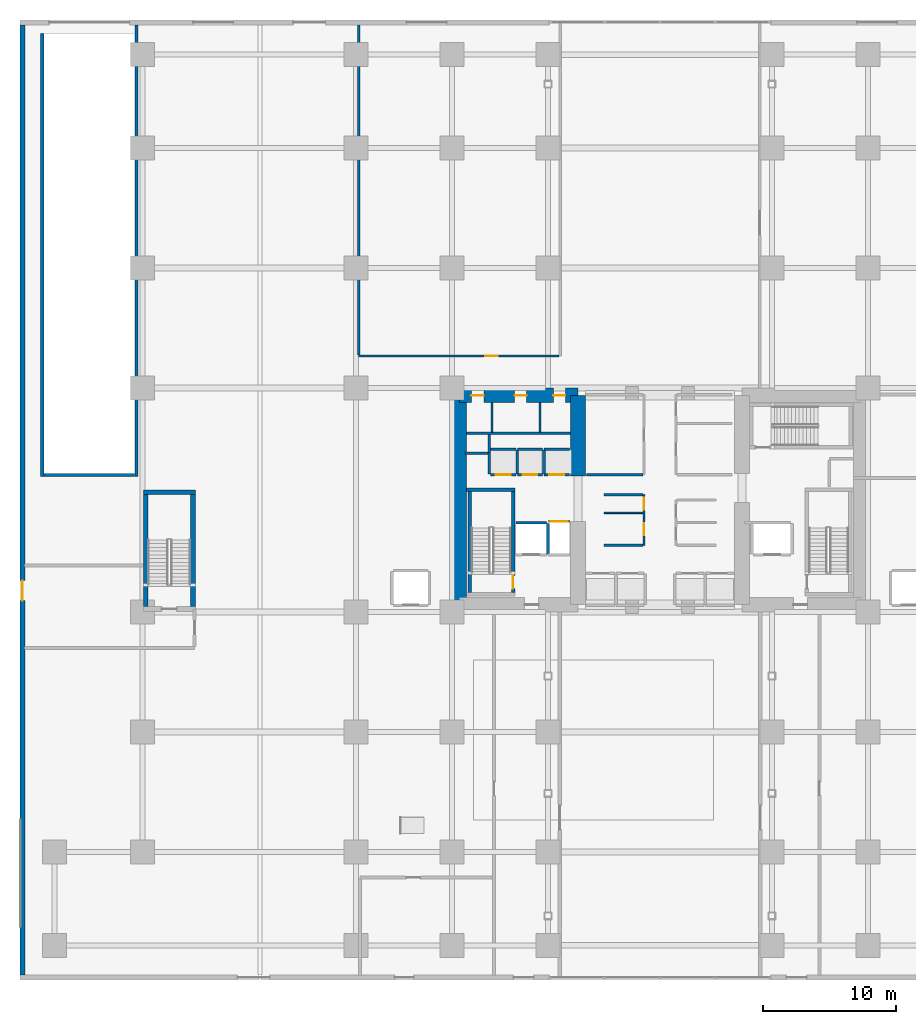
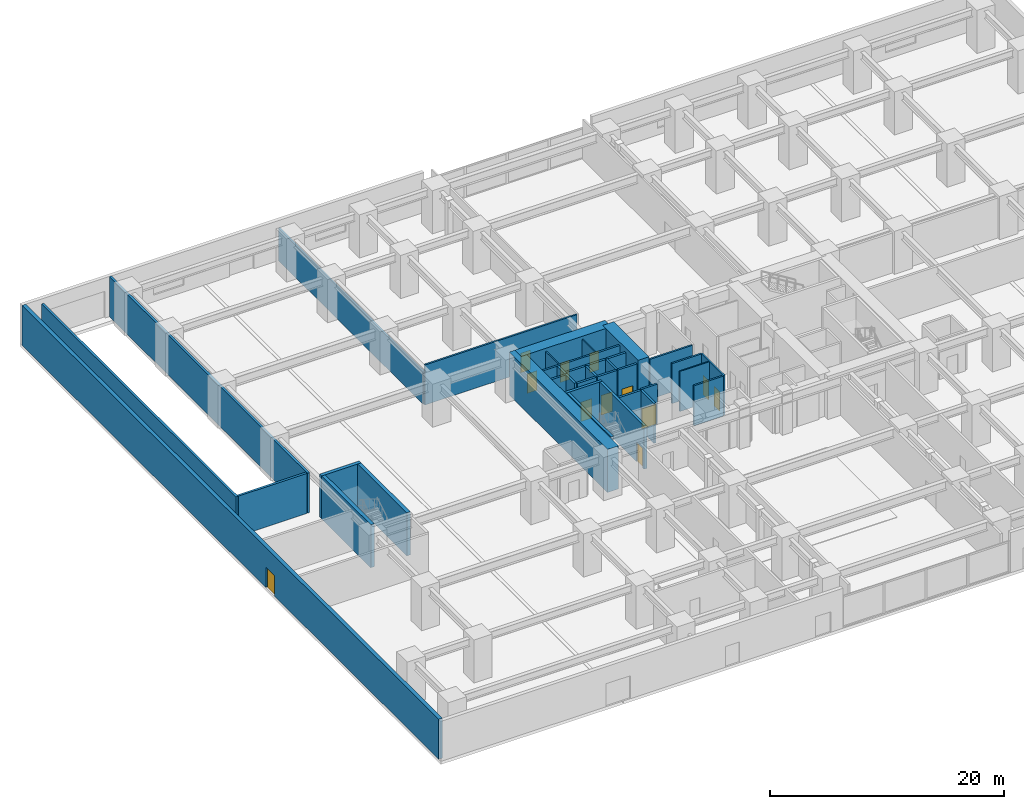
# One storey, part 14 of 26: 37 walls, 12 doors, 12 openings.
"""IFC4 building model written with IfcOpenShell, lengths in metres."""

from ifc_helpers import new_model, si_unit, direction, frame, frame_2d, origin, place, context, subcontext, project, spatial, rectangle, extrude, material, layer, layer_set, type_object, element, fill, save


model = new_model("IFC4")

# Units and contexts
model_context = context("Model", 3, precision=1e-05, world=origin(), true_north=direction((0.0, 1.0)))
body_context = subcontext(model_context, "Body", "Model", "MODEL_VIEW")
ifc_project = project(units=[si_unit("LENGTHUNIT", "METRE"), si_unit("AREAUNIT", "SQUARE_METRE"), si_unit("VOLUMEUNIT", "CUBIC_METRE"), si_unit("PLANEANGLEUNIT", "RADIAN"), si_unit("MASSUNIT", "GRAM", prefix="KILO")], contexts=[model_context])

# Site, building, storey
site_placement = place(None, origin())
site = spatial("IfcSite", under=ifc_project, at=site_placement, CompositionType="ELEMENT")
building_placement = place(site_placement, origin())
building = spatial("IfcBuilding", under=site, at=building_placement, Name="Kiyonajd Concourse Tower", CompositionType="ELEMENT")
storey_placement = place(building_placement, origin())
storey = spatial("IfcBuildingStorey", under=building, at=storey_placement, Name="L01", CompositionType="ELEMENT", Elevation=0.0)

# Walls
ifc_material_1 = material(Name="Concrete C80/95", Category="concrete")
ifc_layer_1 = layer(ifc_material_1, 1.10009765625)
ifc_layer_set_1 = layer_set([ifc_layer_1], Name="Concrete C80/95")
wall_type_1 = type_object("IfcWallType", Name="WL-CORE-1100", PredefinedType="SHEAR", material=ifc_layer_set_1)
wall_1_placement = place(storey_placement, frame((32.949951171875, 27.60009765625, 0.0), z_axis=(0.0, 0.0, 1.0), x_axis=(0.0, 1.0, 0.0)))
element("IfcWall", 1, at=wall_1_placement, inside=storey, type_object=wall_type_1, Name="L01 West Core Outer Shear Wall", PredefinedType="SHEAR", context=body_context, shape_type="SweptSolid", body=[
    extrude(rectangle(XDim=16.7998046875, YDim=1.10009765625, at=frame_2d((8.39990234375, 0.0))), origin(), (0.0, 0.0, 1.0), 4.5),
])
wall_2_placement = place(storey_placement, frame((41.85009765625, 37.800048828125, 0.0), z_axis=(0.0, 0.0, 1.0), x_axis=(0.0, 1.0, 0.0)))
element("IfcWall", 2, at=wall_2_placement, inside=storey, type_object=wall_type_1, Name="L01 West Core Inner North Shear Wall", PredefinedType="SHEAR", context=body_context, shape_type="SweptSolid", body=[
    extrude(rectangle(XDim=6.050048828125, YDim=1.10009765625, at=frame_2d((3.02490234375, 0.0))), origin(), (0.0, 0.0, 1.0), 4.5),
])

# Wall, openings, doors
wall_3_placement = place(storey_placement, frame((32.949951171875, 43.85009765625, 0.0), z_axis=(0.0, 0.0, 1.0), x_axis=(1.0, 0.0, 0.0)))
wall_3 = element("IfcWall", 3, at=wall_3_placement, inside=storey, type_object=wall_type_1, Name="L01 West Core North Shear Wall", PredefinedType="SHEAR", context=body_context, shape_type="SweptSolid", body=[
    extrude(rectangle(XDim=8.900146484375, YDim=1.10009765625, at=frame_2d((4.4501953125, 0.0))), origin(), (0.0, 0.0, 1.0), 4.5),
])
opening_1_placement = place(wall_3_placement, frame((0.89990234375, 0.0, 0.0)))
opening_1 = element("IfcOpeningElement", 4, at=opening_1_placement, cuts=wall_3, Name="Opening DI1", PredefinedType="OPENING", context=body_context, shape_type="SweptSolid", body=[
    extrude(rectangle(XDim=0.949951171875, YDim=2.0400390625, at=frame_2d((0.47509765625, 1.02001953125))), frame((0.0, 0.56005859375, 0.0), z_axis=(0.0, -1.0, 0.0), x_axis=(1.0, 0.0, 0.0)), (0.0, 0.0, 1.0), 1.1201171875),
])
opening_2_placement = place(wall_3_placement, frame((4.14990234375, 0.0, 0.0)))
opening_2 = element("IfcOpeningElement", 5, at=opening_2_placement, cuts=wall_3, Name="Opening DI2", PredefinedType="OPENING", context=body_context, shape_type="SweptSolid", body=[
    extrude(rectangle(XDim=0.89990234375, YDim=2.02001953125, at=frame_2d((0.449951171875, 1.010009765625))), frame((0.0, 0.56005859375, 0.0), z_axis=(0.0, -1.0, 0.0), x_axis=(1.0, 0.0, 0.0)), (0.0, 0.0, 1.0), 1.1201171875),
])
opening_3_placement = place(wall_3_placement, frame((7.050048828125, 0.0, 0.0)))
opening_3 = element("IfcOpeningElement", 6, at=opening_3_placement, cuts=wall_3, Name="Opening DI2", PredefinedType="OPENING", context=body_context, shape_type="SweptSolid", body=[
    extrude(rectangle(XDim=0.89990234375, YDim=2.02001953125, at=frame_2d((0.449951171875, 1.010009765625))), frame((0.0, 0.56005859375, 0.0), z_axis=(0.0, -1.0, 0.0), x_axis=(1.0, 0.0, 0.0)), (0.0, 0.0, 1.0), 1.1201171875),
])
ifc_material_2 = material(Name="Natural Oak Acoustic Timber Veneer", Category="wood")
door_type_1 = type_object("IfcDoorType", Name="DR-INT-900", OperationType="NOTDEFINED", PredefinedType="DOOR", material=ifc_material_2)
door_1_placement = place(opening_2_placement, origin())
door_1 = element("IfcDoor", 7, at=door_1_placement, inside=storey, type_object=door_type_1, Name="L01 Male Restroom Door", OperationType="SINGLE_SWING_RIGHT", OverallHeight=2.02001953125, OverallWidth=0.89990234375, PredefinedType="DOOR", context=body_context, shape_type="SweptSolid", body=[
    extrude(rectangle(XDim=0.89990234375, YDim=2.02001953125, at=frame_2d((0.449951171875, 1.010009765625))), frame((0.0, 0.02490234375, 0.0), z_axis=(0.0, -1.0, 0.0), x_axis=(1.0, 0.0, 0.0)), (0.0, 0.0, 1.0), 0.050048828125),
])
fill(opening_2, door_1)
door_2_placement = place(opening_3_placement, origin())
door_2 = element("IfcDoor", 8, at=door_2_placement, inside=storey, type_object=door_type_1, Name="L01 Female Restroom Door", OperationType="SINGLE_SWING_LEFT", OverallHeight=2.02001953125, OverallWidth=0.89990234375, PredefinedType="DOOR", context=body_context, shape_type="SweptSolid", body=[
    extrude(rectangle(XDim=0.89990234375, YDim=2.02001953125, at=frame_2d((0.449951171875, 1.010009765625))), frame((0.0, 0.02490234375, 0.0), z_axis=(0.0, -1.0, 0.0), x_axis=(1.0, 0.0, 0.0)), (0.0, 0.0, 1.0), 0.050048828125),
])
fill(opening_3, door_2)
door_type_2 = type_object("IfcDoorType", Name="DR-INT-950", OperationType="NOTDEFINED", PredefinedType="DOOR", material=ifc_material_2)
door_3_placement = place(opening_1_placement, origin())
door_3 = element("IfcDoor", 9, at=door_3_placement, inside=storey, type_object=door_type_2, Name="L01 Single User Accessible WC Door", OperationType="SINGLE_SWING_LEFT", OverallHeight=2.0400390625, OverallWidth=0.949951171875, PredefinedType="DOOR", context=body_context, shape_type="SweptSolid", body=[
    extrude(rectangle(XDim=0.949951171875, YDim=2.0400390625, at=frame_2d((0.47509765625, 1.02001953125))), frame((0.0, 0.02490234375, 0.0), z_axis=(0.0, -1.0, 0.0), x_axis=(1.0, 0.0, 0.0)), (0.0, 0.0, 1.0), 0.050048828125),
])
fill(opening_1, door_3)

# Wall, opening, door
ifc_material_3 = material(Name="Precast concrete C50/60", Category="concrete")
ifc_layer_2 = layer(ifc_material_3, 0.360107421875)
ifc_layer_set_2 = layer_set([ifc_layer_2], Name="Precast concrete C50/60")
wall_type_2 = type_object("IfcWallType", Name="WL-EXT-360", PredefinedType="SOLIDWALL", material=ifc_layer_set_2)
wall_4_placement = place(storey_placement, frame((0.179931640625, 0.360107421875, 0.0), z_axis=(0.0, 0.0, 1.0), x_axis=(0.0, 1.0, 0.0)))
wall_4 = element("IfcWall", 10, at=wall_4_placement, inside=storey, type_object=wall_type_2, Name="L01 West Podium Limestone Facade Wall", PredefinedType="SOLIDWALL", context=body_context, shape_type="SweptSolid", body=[
    extrude(rectangle(XDim=71.27978515625, YDim=0.360107421875, at=frame_2d((35.639892578125, 0.0))), origin(), (0.0, 0.0, 1.0), 4.179931640625),
])
opening_4_placement = place(wall_4_placement, frame((28.090087890625, 0.0, 0.0)))
opening_4 = element("IfcOpeningElement", 11, at=opening_4_placement, cuts=wall_4, Name="Opening DEX1", PredefinedType="OPENING", context=body_context, shape_type="SweptSolid", body=[
    extrude(rectangle(XDim=1.5, YDim=2.14990234375, at=frame_2d((0.75, 1.074951171875))), frame((0.0, 0.18994140625, 0.0), z_axis=(0.0, -1.0, 0.0), x_axis=(1.0, 0.0, 0.0)), (0.0, 0.0, 1.0), 0.380126953125),
])
ifc_material_4 = material(Name="Thermally Broken Anodised Aluminium", Category="aluminium")
door_type_3 = type_object("IfcDoorType", Name="DR-EXIT-1500", OperationType="DOUBLE_DOOR_SINGLE_SWING", PredefinedType="DOOR", material=ifc_material_4)
door_4_placement = place(opening_4_placement, origin())
door_4 = element("IfcDoor", 12, at=door_4_placement, inside=storey, type_object=door_type_3, Name="L01 Protected Exit Passage ST4 Discharge Door", OperationType="DOUBLE_DOOR_SINGLE_SWING", OverallHeight=2.14990234375, OverallWidth=1.5, PredefinedType="DOOR", context=body_context, shape_type="SweptSolid", body=[
    extrude(rectangle(XDim=1.5, YDim=2.14990234375, at=frame_2d((0.75, 1.074951171875))), frame((0.0, 0.02490234375, 0.0), z_axis=(0.0, -1.0, 0.0), x_axis=(1.0, 0.0, 0.0)), (0.0, 0.0, 1.0), 0.050048828125),
])
fill(opening_4, door_4)

# Walls
ifc_material_5 = material(Name="Gypsum Board on Cold-Formed Steel Stud", Category="steel")
ifc_layer_3 = layer(ifc_material_5, 0.22998046875)
ifc_layer_set_3 = layer_set([ifc_layer_3], Name="Gypsum Board on Cold-Formed Steel Stud")
wall_type_3 = type_object("IfcWallType", Name="WL-FIRE-230", PredefinedType="PARTITIONING", material=ifc_layer_set_3)
wall_5_placement = place(storey_placement, frame((8.72998046875, 37.760009765625, 0.0), z_axis=(0.0, 0.0, 1.0), x_axis=(0.0, 1.0, 0.0)))
element("IfcWall", 13, at=wall_5_placement, inside=storey, type_object=wall_type_3, Name="L01 Vehicle Ramp Fire Enclosure Wall", PredefinedType="PARTITIONING", context=body_context, shape_type="SweptSolid", body=[
    extrude(rectangle(XDim=33.8798828125, YDim=0.22998046875, at=frame_2d((16.93994140625, 0.0))), origin(), (0.0, 0.0, 1.0), 4.179931640625),
])
wall_6_placement = place(storey_placement, frame((1.800048828125, 37.8701171875, 0.0), z_axis=(0.0, 0.0, 1.0), x_axis=(1.0, 0.0, 0.0)))
element("IfcWall", 14, at=wall_6_placement, inside=storey, type_object=wall_type_3, Name="L01 Vehicle Ramp Fire Enclosure Wall", PredefinedType="PARTITIONING", context=body_context, shape_type="SweptSolid", body=[
    extrude(rectangle(XDim=6.800048828125, YDim=0.22998046875, at=frame_2d((3.39990234375, 0.0))), origin(), (0.0, 0.0, 1.0), 4.179931640625),
])
wall_7_placement = place(storey_placement, frame((1.669921875, 37.760009765625, 0.0), z_axis=(0.0, 0.0, 1.0), x_axis=(0.0, 1.0, 0.0)))
element("IfcWall", 15, at=wall_7_placement, inside=storey, type_object=wall_type_3, Name="L01 Vehicle Ramp Fire Enclosure Wall", PredefinedType="PARTITIONING", context=body_context, shape_type="SweptSolid", body=[
    extrude(rectangle(XDim=33.239990234375, YDim=0.22998046875, at=frame_2d((16.6201171875, 0.0))), origin(), (0.0, 0.0, 1.0), 4.179931640625),
])
ifc_layer_4 = layer(ifc_material_5, 0.125)
ifc_layer_set_4 = layer_set([ifc_layer_4], Name="Gypsum Board on Cold-Formed Steel Stud")
wall_type_4 = type_object("IfcWallType", Name="WL-PART-125", PredefinedType="PARTITIONING", material=ifc_layer_set_4)
for number, where, z_axis, x_axis, name in (
    (16, (35.39990234375, 41.094970703125, 0.0), (0.0, 0.0, 1.0), (0.0, 1.0, 0.0), "L01 Interior Partition Wall"),
    (17, (39.0, 41.094970703125, 0.0), (0.0, 0.0, 1.0), (0.0, 1.0, 0.0), "L01 Interior Partition Wall"),
):
    element("IfcWall", number, at=place(storey_placement, frame(where, z_axis=z_axis, x_axis=x_axis)), inside=storey, type_object=wall_type_4, Name=name, PredefinedType="PARTITIONING", context=body_context, shape_type="SweptSolid", body=[
        extrude(rectangle(XDim=2.205078125, YDim=0.125, at=frame_2d((1.1025390625, 0.0))), origin(), (0.0, 0.0, 1.0), 4.179931640625),
    ])
wall_8_placement = place(storey_placement, frame((43.800048828125, 35.031982421875, 0.0), z_axis=(0.0, 0.0, 1.0), x_axis=(1.0, 0.0, 0.0)))
element("IfcWall", 18, at=wall_8_placement, inside=storey, type_object=wall_type_4, Name="L01 Interior Partition Wall", PredefinedType="PARTITIONING", context=body_context, shape_type="SweptSolid", body=[
    extrude(rectangle(XDim=2.912841796875, YDim=0.125, at=frame_2d((1.45654296875, 0.0))), origin(), (0.0, 0.0, 1.0), 4.179931640625),
])
ifc_layer_5 = layer(ifc_material_5, 0.18994140625)
ifc_layer_set_5 = layer_set([ifc_layer_5], Name="Gypsum Board on Cold-Formed Steel Stud")
wall_type_5 = type_object("IfcWallType", Name="WL-PLMB-190", PredefinedType="PLUMBINGWALL", material=ifc_layer_set_5)
wall_9_placement = place(storey_placement, frame((33.5, 41.0, 0.0), z_axis=(0.0, 0.0, 1.0), x_axis=(1.0, 0.0, 0.0)))
element("IfcWall", 19, at=wall_9_placement, inside=storey, type_object=wall_type_5, Name="L01 Interior Partition Wall", PredefinedType="PLUMBINGWALL", context=body_context, shape_type="SweptSolid", body=[
    extrude(rectangle(XDim=7.800048828125, YDim=0.18994140625, at=frame_2d((3.89990234375, 0.0))), origin(), (0.0, 0.0, 1.0), 4.179931640625),
])
ifc_layer_6 = layer(ifc_material_5, 0.2099609375)
ifc_layer_set_6 = layer_set([ifc_layer_6], Name="Gypsum Board on Cold-Formed Steel Stud")
wall_type_6 = type_object("IfcWallType", Name="WL-SHAFT-210", PredefinedType="PARTITIONING", material=ifc_layer_set_6)
wall_10_placement = place(storey_placement, frame((33.360107421875, 39.5, 0.0), z_axis=(0.0, 0.0, 1.0), x_axis=(1.0, 0.0, 0.0)))
element("IfcWall", 20, at=wall_10_placement, inside=storey, type_object=wall_type_6, Name="L01 Shaft Enclosure Wall", PredefinedType="PARTITIONING", context=body_context, shape_type="SweptSolid", body=[
    extrude(rectangle(XDim=1.85986328125, YDim=0.2099609375, at=frame_2d((0.929931640625, 0.0))), origin(), (0.0, 0.0, 1.0), 4.179931640625),
])
wall_11_placement = place(storey_placement, frame((35.199951171875, 39.580078125, 0.0), z_axis=(0.0, 0.0, 1.0), x_axis=(0.0, 1.0, 0.0)))
element("IfcWall", 21, at=wall_11_placement, inside=storey, type_object=wall_type_6, Name="L01 Shaft Enclosure Wall", PredefinedType="PARTITIONING", context=body_context, shape_type="SweptSolid", body=[
    extrude(rectangle(XDim=1.31982421875, YDim=0.2099609375, at=frame_2d((0.659912109375, 0.0))), origin(), (0.0, 0.0, 1.0), 4.179931640625),
])
wall_12_placement = place(storey_placement, frame((37.199951171875, 34.300048828125, 0.0), z_axis=(0.0, 0.0, 1.0), x_axis=(1.0, 0.0, 0.0)))
element("IfcWall", 22, at=wall_12_placement, inside=storey, type_object=wall_type_6, Name="L01 Shaft Enclosure Wall", PredefinedType="PARTITIONING", context=body_context, shape_type="SweptSolid", body=[
    extrude(rectangle(XDim=2.300048828125, YDim=0.2099609375, at=frame_2d((1.14990234375, 0.0))), origin(), (0.0, 0.0, 1.0), 4.179931640625),
])
wall_13_placement = place(storey_placement, frame((39.60009765625, 31.9599609375, 0.0), z_axis=(0.0, 0.0, 1.0), x_axis=(0.0, 1.0, 0.0)))
element("IfcWall", 23, at=wall_13_placement, inside=storey, type_object=wall_type_6, Name="L01 Shaft Enclosure Wall", PredefinedType="PARTITIONING", context=body_context, shape_type="SweptSolid", body=[
    extrude(rectangle(XDim=2.280029296875, YDim=0.2099609375, at=frame_2d((1.14013671875, 0.0))), origin(), (0.0, 0.0, 1.0), 4.179931640625),
])

# Wall, opening, door
wall_14_placement = place(storey_placement, frame((39.60009765625, 34.39990234375, 0.0), z_axis=(0.0, 0.0, 1.0), x_axis=(1.0, 0.0, 0.0)))
wall_14 = element("IfcWall", 24, at=wall_14_placement, inside=storey, type_object=wall_type_6, Name="L01 Shaft Enclosure Wall", PredefinedType="PARTITIONING", context=body_context, shape_type="SweptSolid", body=[
    extrude(rectangle(XDim=1.599853515625, YDim=0.2099609375, at=frame_2d((0.7998046875, 0.0))), origin(), (0.0, 0.0, 1.0), 4.179931640625),
])
opening_5_placement = place(wall_14_placement, frame((0.10009765625, 0.0, 0.0)))
opening_5 = element("IfcOpeningElement", 25, at=opening_5_placement, cuts=wall_14, Name="Opening LD3", PredefinedType="OPENING", context=body_context, shape_type="SweptSolid", body=[
    extrude(rectangle(XDim=1.39990234375, YDim=2.06005859375, at=frame_2d((0.699951171875, 1.030029296875))), frame((0.0, 0.114990234375, 0.0), z_axis=(0.0, -1.0, 0.0), x_axis=(1.0, 0.0, 0.0)), (0.0, 0.0, 1.0), 0.22998046875),
])
ifc_material_6 = material(Name="Brushed Stainless Steel Cab Assembly", Category="steel")
door_type_4 = type_object("IfcDoorType", Name="DR-LD-1400", OperationType="DOUBLE_DOOR_SLIDING", PredefinedType="DOOR", material=ifc_material_6)
door_5_placement = place(opening_5_placement, origin())
door_5 = element("IfcDoor", 26, at=door_5_placement, inside=storey, type_object=door_type_4, Name="L01 Lift SVL1 Sliding Landing Door", OperationType="DOUBLE_DOOR_SLIDING", OverallHeight=2.06005859375, OverallWidth=1.39990234375, PredefinedType="DOOR", context=body_context, shape_type="SweptSolid", body=[
    extrude(rectangle(XDim=1.39990234375, YDim=2.06005859375, at=frame_2d((0.699951171875, 1.030029296875))), frame((0.0, 0.02490234375, 0.0), z_axis=(0.0, -1.0, 0.0), x_axis=(1.0, 0.0, 0.0)), (0.0, 0.0, 1.0), 0.050048828125),
])
fill(opening_5, door_5)

wall_15_placement = place(storey_placement, frame((35.300048828125, 37.89990234375, 0.0), z_axis=(0.0, 0.0, 1.0), x_axis=(1.0, 0.0, 0.0)))
wall_15 = element("IfcWall", 27, at=wall_15_placement, inside=storey, type_object=wall_type_6, Name="L01 Shaft Enclosure Wall", PredefinedType="PARTITIONING", context=body_context, shape_type="SweptSolid", body=[
    extrude(rectangle(XDim=1.89990234375, YDim=0.2099609375, at=frame_2d((0.949951171875, 0.0))), origin(), (0.0, 0.0, 1.0), 4.179931640625),
])
opening_6_placement = place(wall_15_placement, frame((0.39990234375, 0.0, 0.0)))
opening_6 = element("IfcOpeningElement", 28, at=opening_6_placement, cuts=wall_15, Name="Opening LD1", PredefinedType="OPENING", context=body_context, shape_type="SweptSolid", body=[
    extrude(rectangle(XDim=1.10009765625, YDim=2.0400390625, at=frame_2d((0.550048828125, 1.02001953125))), frame((0.0, 0.114990234375, 0.0), z_axis=(0.0, -1.0, 0.0), x_axis=(1.0, 0.0, 0.0)), (0.0, 0.0, 1.0), 0.22998046875),
])
door_type_5 = type_object("IfcDoorType", Name="DR-LD-1100", OperationType="DOUBLE_DOOR_SLIDING", PredefinedType="DOOR", material=ifc_material_6)
door_6_placement = place(opening_6_placement, origin())
door_6 = element("IfcDoor", 29, at=door_6_placement, inside=storey, type_object=door_type_5, Name="L01 Lift EXL1 Sliding Landing Door", OperationType="DOUBLE_DOOR_SLIDING", OverallHeight=2.0400390625, OverallWidth=1.10009765625, PredefinedType="DOOR", context=body_context, shape_type="SweptSolid", body=[
    extrude(rectangle(XDim=1.10009765625, YDim=2.0400390625, at=frame_2d((0.550048828125, 1.02001953125))), frame((0.0, 0.02490234375, 0.0), z_axis=(0.0, -1.0, 0.0), x_axis=(1.0, 0.0, 0.0)), (0.0, 0.0, 1.0), 0.050048828125),
])
fill(opening_6, door_6)

# Walls
wall_16_placement = place(storey_placement, frame((35.300048828125, 39.800048828125, 0.0), z_axis=(0.0, 0.0, 1.0), x_axis=(1.0, 0.0, 0.0)))
element("IfcWall", 30, at=wall_16_placement, inside=storey, type_object=wall_type_6, Name="L01 Shaft Enclosure Wall", PredefinedType="PARTITIONING", context=body_context, shape_type="SweptSolid", body=[
    extrude(rectangle(XDim=1.89990234375, YDim=0.2099609375, at=frame_2d((0.949951171875, 0.0))), origin(), (0.0, 0.0, 1.0), 4.179931640625),
])
wall_17_placement = place(storey_placement, frame((35.199951171875, 37.9599609375, 0.0), z_axis=(0.0, 0.0, 1.0), x_axis=(0.0, 1.0, 0.0)))
element("IfcWall", 31, at=wall_17_placement, inside=storey, type_object=wall_type_6, Name="L01 Shaft Enclosure Wall", PredefinedType="PARTITIONING", context=body_context, shape_type="SweptSolid", body=[
    extrude(rectangle(XDim=1.6201171875, YDim=0.2099609375, at=frame_2d((0.81005859375, 0.0))), origin(), (0.0, 0.0, 1.0), 4.179931640625),
])
wall_18_placement = place(storey_placement, frame((37.300048828125, 37.9599609375, 0.0), z_axis=(0.0, 0.0, 1.0), x_axis=(0.0, 1.0, 0.0)))
element("IfcWall", 32, at=wall_18_placement, inside=storey, type_object=wall_type_6, Name="L01 Shaft Enclosure Wall", PredefinedType="PARTITIONING", context=body_context, shape_type="SweptSolid", body=[
    extrude(rectangle(XDim=1.780029296875, YDim=0.2099609375, at=frame_2d((0.89013671875, 0.0))), origin(), (0.0, 0.0, 1.0), 4.179931640625),
])

# Wall, opening, door
wall_19_placement = place(storey_placement, frame((37.300048828125, 37.89990234375, 0.0), z_axis=(0.0, 0.0, 1.0), x_axis=(1.0, 0.0, 0.0)))
wall_19 = element("IfcWall", 33, at=wall_19_placement, inside=storey, type_object=wall_type_6, Name="L01 Shaft Enclosure Wall", PredefinedType="PARTITIONING", context=body_context, shape_type="SweptSolid", body=[
    extrude(rectangle(XDim=1.89990234375, YDim=0.2099609375, at=frame_2d((0.949951171875, 0.0))), origin(), (0.0, 0.0, 1.0), 4.179931640625),
])
opening_7_placement = place(wall_19_placement, frame((0.39990234375, 0.0, 0.0)))
opening_7 = element("IfcOpeningElement", 34, at=opening_7_placement, cuts=wall_19, Name="Opening LD1", PredefinedType="OPENING", context=body_context, shape_type="SweptSolid", body=[
    extrude(rectangle(XDim=1.10009765625, YDim=2.0400390625, at=frame_2d((0.550048828125, 1.02001953125))), frame((0.0, 0.114990234375, 0.0), z_axis=(0.0, -1.0, 0.0), x_axis=(1.0, 0.0, 0.0)), (0.0, 0.0, 1.0), 0.22998046875),
])
door_7_placement = place(opening_7_placement, origin())
door_7 = element("IfcDoor", 35, at=door_7_placement, inside=storey, type_object=door_type_5, Name="L01 Lift EXL2 Sliding Landing Door", OperationType="DOUBLE_DOOR_SLIDING", OverallHeight=2.0400390625, OverallWidth=1.10009765625, PredefinedType="DOOR", context=body_context, shape_type="SweptSolid", body=[
    extrude(rectangle(XDim=1.10009765625, YDim=2.0400390625, at=frame_2d((0.550048828125, 1.02001953125))), frame((0.0, 0.02490234375, 0.0), z_axis=(0.0, -1.0, 0.0), x_axis=(1.0, 0.0, 0.0)), (0.0, 0.0, 1.0), 0.050048828125),
])
fill(opening_7, door_7)

# Walls
wall_20_placement = place(storey_placement, frame((37.300048828125, 39.800048828125, 0.0), z_axis=(0.0, 0.0, 1.0), x_axis=(1.0, 0.0, 0.0)))
element("IfcWall", 36, at=wall_20_placement, inside=storey, type_object=wall_type_6, Name="L01 Shaft Enclosure Wall", PredefinedType="PARTITIONING", context=body_context, shape_type="SweptSolid", body=[
    extrude(rectangle(XDim=1.89990234375, YDim=0.2099609375, at=frame_2d((0.949951171875, 0.0))), origin(), (0.0, 0.0, 1.0), 4.179931640625),
])
wall_21_placement = place(storey_placement, frame((39.300048828125, 37.9599609375, 0.0), z_axis=(0.0, 0.0, 1.0), x_axis=(0.0, 1.0, 0.0)))
element("IfcWall", 37, at=wall_21_placement, inside=storey, type_object=wall_type_6, Name="L01 Shaft Enclosure Wall", PredefinedType="PARTITIONING", context=body_context, shape_type="SweptSolid", body=[
    extrude(rectangle(XDim=1.780029296875, YDim=0.2099609375, at=frame_2d((0.89013671875, 0.0))), origin(), (0.0, 0.0, 1.0), 4.179931640625),
])

# Wall, opening, door
wall_22_placement = place(storey_placement, frame((39.300048828125, 37.89990234375, 0.0), z_axis=(0.0, 0.0, 1.0), x_axis=(1.0, 0.0, 0.0)))
wall_22 = element("IfcWall", 38, at=wall_22_placement, inside=storey, type_object=wall_type_6, Name="L01 Shaft Enclosure Wall", PredefinedType="PARTITIONING", context=body_context, shape_type="SweptSolid", body=[
    extrude(rectangle(XDim=1.89990234375, YDim=0.2099609375, at=frame_2d((0.949951171875, 0.0))), origin(), (0.0, 0.0, 1.0), 4.179931640625),
])
opening_8_placement = place(wall_22_placement, frame((0.39990234375, 0.0, 0.0)))
opening_8 = element("IfcOpeningElement", 39, at=opening_8_placement, cuts=wall_22, Name="Opening LD1", PredefinedType="OPENING", context=body_context, shape_type="SweptSolid", body=[
    extrude(rectangle(XDim=1.10009765625, YDim=2.0400390625, at=frame_2d((0.550048828125, 1.02001953125))), frame((0.0, 0.114990234375, 0.0), z_axis=(0.0, -1.0, 0.0), x_axis=(1.0, 0.0, 0.0)), (0.0, 0.0, 1.0), 0.22998046875),
])
door_8_placement = place(opening_8_placement, origin())
door_8 = element("IfcDoor", 40, at=door_8_placement, inside=storey, type_object=door_type_5, Name="L01 Lift EXL3 Sliding Landing Door", OperationType="DOUBLE_DOOR_SLIDING", OverallHeight=2.0400390625, OverallWidth=1.10009765625, PredefinedType="DOOR", context=body_context, shape_type="SweptSolid", body=[
    extrude(rectangle(XDim=1.10009765625, YDim=2.0400390625, at=frame_2d((0.550048828125, 1.02001953125))), frame((0.0, 0.02490234375, 0.0), z_axis=(0.0, -1.0, 0.0), x_axis=(1.0, 0.0, 0.0)), (0.0, 0.0, 1.0), 0.050048828125),
])
fill(opening_8, door_8)

# Wall
wall_23_placement = place(storey_placement, frame((39.300048828125, 39.800048828125, 0.0), z_axis=(0.0, 0.0, 1.0), x_axis=(1.0, 0.0, 0.0)))
element("IfcWall", 41, at=wall_23_placement, inside=storey, type_object=wall_type_6, Name="L01 Shaft Enclosure Wall", PredefinedType="PARTITIONING", context=body_context, shape_type="SweptSolid", body=[
    extrude(rectangle(XDim=1.89990234375, YDim=0.2099609375, at=frame_2d((0.949951171875, 0.0))), origin(), (0.0, 0.0, 1.0), 4.179931640625),
])

# Wall, openings, doors
ifc_layer_7 = layer(ifc_material_5, 0.169921875)
ifc_layer_set_7 = layer_set([ifc_layer_7], Name="Gypsum Board on Cold-Formed Steel Stud")
wall_type_7 = type_object("IfcWallType", Name="WL-SMK-170", PredefinedType="PARTITIONING", material=ifc_layer_set_7)
wall_24_placement = place(storey_placement, frame((46.800048828125, 32.60009765625, 0.0), z_axis=(0.0, 0.0, 1.0), x_axis=(0.0, 1.0, 0.0)))
wall_24 = element("IfcWall", 42, at=wall_24_placement, inside=storey, type_object=wall_type_7, Name="L01 Interior Partition Wall", PredefinedType="PARTITIONING", context=body_context, shape_type="SweptSolid", body=[
    extrude(rectangle(XDim=3.7998046875, YDim=0.169921875, at=frame_2d((1.89990234375, 0.0))), origin(), (0.0, 0.0, 1.0), 4.179931640625),
])
opening_9_placement = place(wall_24_placement, frame((0.76611328125, 0.0, 0.0)))
opening_9 = element("IfcOpeningElement", 43, at=opening_9_placement, cuts=wall_24, Name="Opening DF4", PredefinedType="OPENING", context=body_context, shape_type="SweptSolid", body=[
    extrude(rectangle(XDim=0.89990234375, YDim=2.02001953125, at=frame_2d((0.449951171875, 1.010009765625))), frame((0.0, 0.094970703125, 0.0), z_axis=(0.0, -1.0, 0.0), x_axis=(1.0, 0.0, 0.0)), (0.0, 0.0, 1.0), 0.18994140625),
])
opening_10_placement = place(wall_24_placement, frame((2.666015625, 0.0, 0.0)))
opening_10 = element("IfcOpeningElement", 44, at=opening_10_placement, cuts=wall_24, Name="Opening DF4", PredefinedType="OPENING", context=body_context, shape_type="SweptSolid", body=[
    extrude(rectangle(XDim=0.89990234375, YDim=2.02001953125, at=frame_2d((0.449951171875, 1.010009765625))), frame((0.0, 0.094970703125, 0.0), z_axis=(0.0, -1.0, 0.0), x_axis=(1.0, 0.0, 0.0)), (0.0, 0.0, 1.0), 0.18994140625),
])
door_type_6 = type_object("IfcDoorType", Name="DR-FD60-900", OperationType="NOTDEFINED", PredefinedType="DOOR", material=ifc_material_6)
door_9_placement = place(opening_9_placement, origin())
door_9 = element("IfcDoor", 45, at=door_9_placement, inside=storey, type_object=door_type_6, Name="L01 Interior Door", OperationType="SINGLE_SWING_LEFT", OverallHeight=2.02001953125, OverallWidth=0.89990234375, PredefinedType="DOOR", context=body_context, shape_type="SweptSolid", body=[
    extrude(rectangle(XDim=0.89990234375, YDim=2.02001953125, at=frame_2d((0.449951171875, 1.010009765625))), frame((0.0, 0.02490234375, 0.0), z_axis=(0.0, -1.0, 0.0), x_axis=(1.0, 0.0, 0.0)), (0.0, 0.0, 1.0), 0.050048828125),
])
fill(opening_9, door_9)
door_10_placement = place(opening_10_placement, origin())
door_10 = element("IfcDoor", 46, at=door_10_placement, inside=storey, type_object=door_type_6, Name="L01 Interior Door", OperationType="SINGLE_SWING_RIGHT", OverallHeight=2.02001953125, OverallWidth=0.89990234375, PredefinedType="DOOR", context=body_context, shape_type="SweptSolid", body=[
    extrude(rectangle(XDim=0.89990234375, YDim=2.02001953125, at=frame_2d((0.449951171875, 1.010009765625))), frame((0.0, 0.02490234375, 0.0), z_axis=(0.0, -1.0, 0.0), x_axis=(1.0, 0.0, 0.0)), (0.0, 0.0, 1.0), 0.050048828125),
])
fill(opening_10, door_10)

# Walls
for number, where, z_axis, x_axis, name in (
    (47, (43.800048828125, 32.60009765625, 0.0), (0.0, 0.0, 1.0), (1.0, 0.0, 0.0), "L01 Interior Partition Wall"),
    (48, (43.800048828125, 36.39990234375, 0.0), (0.0, 0.0, 1.0), (1.0, 0.0, 0.0), "L01 Interior Partition Wall"),
):
    element("IfcWall", number, at=place(storey_placement, frame(where, z_axis=z_axis, x_axis=x_axis)), inside=storey, type_object=wall_type_7, Name=name, PredefinedType="PARTITIONING", context=body_context, shape_type="SweptSolid", body=[
        extrude(rectangle(XDim=2.912841796875, YDim=0.169921875, at=frame_2d((1.45654296875, 0.0))), origin(), (0.0, 0.0, 1.0), 4.179931640625),
    ])
wall_25_placement = place(storey_placement, frame((42.5, 37.89990234375, 0.0), z_axis=(0.0, 0.0, 1.0), x_axis=(1.0, 0.0, 0.0)))
element("IfcWall", 49, at=wall_25_placement, inside=storey, type_object=wall_type_7, Name="L01 Interior Partition Wall", PredefinedType="PARTITIONING", context=body_context, shape_type="SweptSolid", body=[
    extrude(rectangle(XDim=4.212890625, YDim=0.169921875, at=frame_2d((2.1064453125, 0.0))), origin(), (0.0, 0.0, 1.0), 4.179931640625),
])

# Wall, opening, door
wall_26_placement = place(storey_placement, frame((25.39990234375, 46.800048828125, 0.0), z_axis=(0.0, 0.0, 1.0), x_axis=(1.0, 0.0, 0.0)))
wall_26 = element("IfcWall", 50, at=wall_26_placement, inside=storey, type_object=wall_type_7, Name="L01 Interior Partition Wall", PredefinedType="PARTITIONING", context=body_context, shape_type="SweptSolid", body=[
    extrude(rectangle(XDim=15.033203125, YDim=0.169921875, at=frame_2d((7.5166015625, 0.0))), origin(), (0.0, 0.0, 1.0), 4.179931640625),
])
opening_11_placement = place(wall_26_placement, frame((9.5, 0.0, 0.0)))
opening_11 = element("IfcOpeningElement", 51, at=opening_11_placement, cuts=wall_26, Name="Opening DI1", PredefinedType="OPENING", context=body_context, shape_type="SweptSolid", body=[
    extrude(rectangle(XDim=0.949951171875, YDim=2.0400390625, at=frame_2d((0.47509765625, 1.02001953125))), frame((0.0, 0.094970703125, 0.0), z_axis=(0.0, -1.0, 0.0), x_axis=(1.0, 0.0, 0.0)), (0.0, 0.0, 1.0), 0.18994140625),
])
door_11_placement = place(opening_11_placement, origin())
door_11 = element("IfcDoor", 52, at=door_11_placement, inside=storey, type_object=door_type_2, Name="L01 Interior Door", OperationType="SINGLE_SWING_RIGHT", OverallHeight=2.0400390625, OverallWidth=0.949951171875, PredefinedType="DOOR", context=body_context, shape_type="SweptSolid", body=[
    extrude(rectangle(XDim=0.949951171875, YDim=2.0400390625, at=frame_2d((0.47509765625, 1.02001953125))), frame((0.0, 0.02490234375, 0.0), z_axis=(0.0, -1.0, 0.0), x_axis=(1.0, 0.0, 0.0)), (0.0, 0.0, 1.0), 0.050048828125),
])
fill(opening_11, door_11)

# Walls
wall_27_placement = place(storey_placement, frame((25.39990234375, 46.886962890625, 0.0), z_axis=(0.0, 0.0, 1.0), x_axis=(0.0, 1.0, 0.0)))
element("IfcWall", 53, at=wall_27_placement, inside=storey, type_object=wall_type_7, Name="L01 Interior Partition Wall", PredefinedType="PARTITIONING", context=body_context, shape_type="SweptSolid", body=[
    extrude(rectangle(XDim=24.748046875, YDim=0.169921875, at=frame_2d((12.3740234375, 0.0))), origin(), (0.0, 0.0, 1.0), 3.39208984375),
])
ifc_material_7 = material(Name="Concrete C50/60", Category="concrete")
ifc_layer_8 = layer(ifc_material_7, 0.260009765625)
ifc_layer_set_8 = layer_set([ifc_layer_8], Name="Concrete C50/60")
wall_type_8 = type_object("IfcWallType", Name="WL-STAIR-260", PredefinedType="SHEAR", material=ifc_layer_set_8)
wall_28_placement = place(storey_placement, frame((33.5, 36.780029296875, 0.0), z_axis=(0.0, 0.0, 1.0), x_axis=(1.0, 0.0, 0.0)))
element("IfcWall", 54, at=wall_28_placement, inside=storey, type_object=wall_type_8, Name="L01 Stair ST1 Structural North Wall", PredefinedType="SHEAR", context=body_context, shape_type="SweptSolid", body=[
    extrude(rectangle(XDim=3.610107421875, YDim=0.260009765625, at=frame_2d((1.80517578125, 0.0))), origin(), (0.0, 0.0, 1.0), 4.5),
])
wall_29_placement = place(storey_placement, frame((33.719970703125, 29.050048828125, 0.0), z_axis=(0.0, 0.0, 1.0), x_axis=(0.0, 1.0, 0.0)))
element("IfcWall", 55, at=wall_29_placement, inside=storey, type_object=wall_type_8, Name="L01 Stair ST1 Structural West Wall", PredefinedType="SHEAR", context=body_context, shape_type="SweptSolid", body=[
    extrude(rectangle(XDim=7.599853515625, YDim=0.260009765625, at=frame_2d((3.7998046875, 0.0))), origin(), (0.0, 0.0, 1.0), 4.5),
])

# Wall, opening, door
wall_30_placement = place(storey_placement, frame((36.97998046875, 29.050048828125, 0.0), z_axis=(0.0, 0.0, 1.0), x_axis=(0.0, 1.0, 0.0)))
wall_30 = element("IfcWall", 56, at=wall_30_placement, inside=storey, type_object=wall_type_8, Name="L01 Stair ST1 Structural East Wall", PredefinedType="SHEAR", context=body_context, shape_type="SweptSolid", body=[
    extrude(rectangle(XDim=7.599853515625, YDim=0.260009765625, at=frame_2d((3.7998046875, 0.0))), origin(), (0.0, 0.0, 1.0), 4.5),
])
opening_12_placement = place(wall_30_placement, frame((0.300048828125, 0.0, 0.0)))
opening_12 = element("IfcOpeningElement", 57, at=opening_12_placement, cuts=wall_30, Name="Opening DF1", PredefinedType="OPENING", context=body_context, shape_type="SweptSolid", body=[
    extrude(rectangle(XDim=1.0, YDim=2.0400390625, at=frame_2d((0.5, 1.02001953125))), frame((0.0, 0.139892578125, 0.0), z_axis=(0.0, -1.0, 0.0), x_axis=(1.0, 0.0, 0.0)), (0.0, 0.0, 1.0), 0.280029296875),
])
door_type_7 = type_object("IfcDoorType", Name="DR-FD90-1000", OperationType="NOTDEFINED", PredefinedType="DOOR", material=ifc_material_6)
door_12_placement = place(opening_12_placement, origin())
door_12 = element("IfcDoor", 58, at=door_12_placement, inside=storey, type_object=door_type_7, Name="L01 Stair ST1 FSAE Door", OperationType="SINGLE_SWING_LEFT", OverallHeight=2.0400390625, OverallWidth=1.0, PredefinedType="DOOR", context=body_context, shape_type="SweptSolid", body=[
    extrude(rectangle(XDim=1.0, YDim=2.0400390625, at=frame_2d((0.5, 1.02001953125))), frame((0.0, 0.02490234375, 0.0), z_axis=(0.0, -1.0, 0.0), x_axis=(1.0, 0.0, 0.0)), (0.0, 0.0, 1.0), 0.050048828125),
])
fill(opening_12, door_12)

# Walls
ifc_layer_9 = layer(ifc_material_7, 0.35009765625)
ifc_layer_set_9 = layer_set([ifc_layer_9], Name="Concrete C50/60")
wall_type_9 = type_object("IfcWallType", Name="WL-STAIR-350", PredefinedType="SHEAR", material=ifc_layer_set_9)
wall_31_placement = place(storey_placement, frame((9.25, 36.574951171875, 0.0), z_axis=(0.0, 0.0, 1.0), x_axis=(1.0, 0.0, 0.0)))
element("IfcWall", 59, at=wall_31_placement, inside=storey, type_object=wall_type_9, Name="L01 Stair ST4 Structural North Wall", PredefinedType="SHEAR", context=body_context, shape_type="SweptSolid", body=[
    extrude(rectangle(XDim=3.89990234375, YDim=0.35009765625, at=frame_2d((1.949951171875, 0.0))), origin(), (0.0, 0.0, 1.0), 4.5),
])
for number, where, z_axis, x_axis, name in (
    (60, (9.425048828125, 28.0, 0.0), (0.0, 0.0, 1.0), (0.0, 1.0, 0.0), "L01 Stair ST4 Structural West Wall"),
    (61, (12.97509765625, 28.0, 0.0), (0.0, 0.0, 1.0), (0.0, 1.0, 0.0), "L01 Stair ST4 Structural East Wall"),
):
    element("IfcWall", number, at=place(storey_placement, frame(where, z_axis=z_axis, x_axis=x_axis)), inside=storey, type_object=wall_type_9, Name=name, PredefinedType="SHEAR", context=body_context, shape_type="SweptSolid", body=[
        extrude(rectangle(XDim=8.39990234375, YDim=0.35009765625, at=frame_2d((4.199951171875, 0.0))), origin(), (0.0, 0.0, 1.0), 4.5),
    ])

save(model, "model.ifc")
